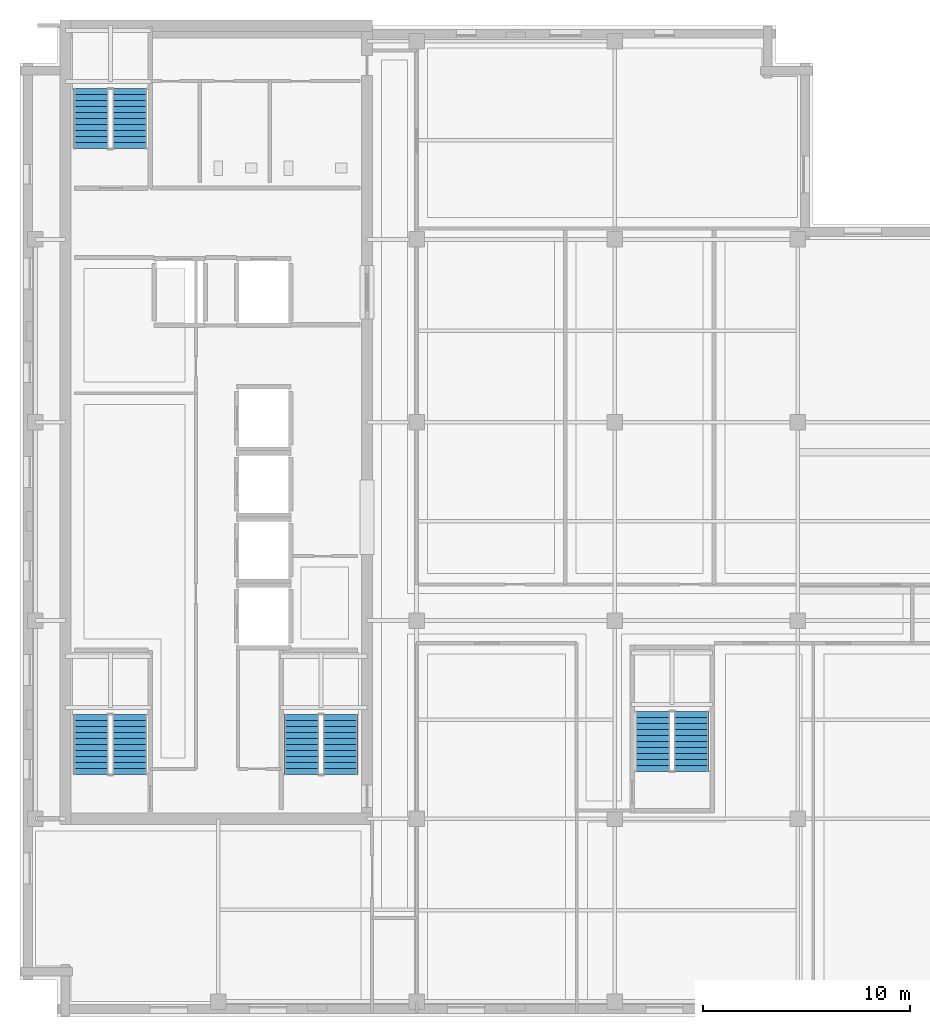
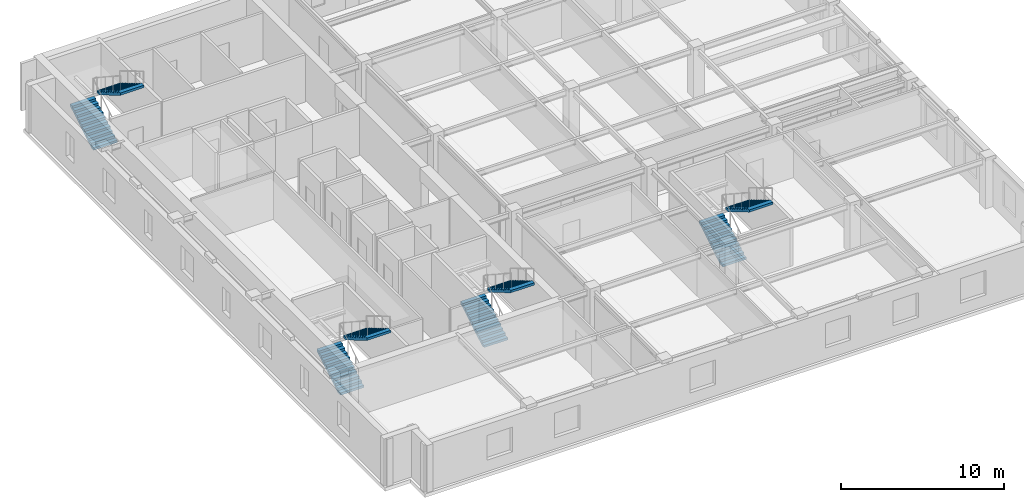
# One storey, part 6 of 10: 8 stair flights, 4 elements without a shape of their own.
"""IFC4 building model written with IfcOpenShell, lengths in metres."""

from ifc_helpers import new_model, si_unit, direction, frame, origin, place, context, subcontext, project, spatial, polyline, outline, extrude, material, type_object, element, aggregate, save


model = new_model("IFC4")

# Units and contexts
model_context = context("Model", 3, precision=1e-05, world=origin(), true_north=direction((0.0, 1.0)))
body_context = subcontext(model_context, "Body", "Model", "MODEL_VIEW")
ifc_project = project(units=[si_unit("LENGTHUNIT", "METRE"), si_unit("AREAUNIT", "SQUARE_METRE"), si_unit("VOLUMEUNIT", "CUBIC_METRE"), si_unit("PLANEANGLEUNIT", "RADIAN"), si_unit("MASSUNIT", "GRAM", prefix="KILO")], contexts=[model_context])

# Site, building, storey
site_placement = place(None, origin())
site = spatial("IfcSite", under=ifc_project, at=site_placement, CompositionType="ELEMENT")
building_placement = place(site_placement, origin())
building = spatial("IfcBuilding", under=site, at=building_placement, Name="Norrvale University Quadrangle", CompositionType="ELEMENT")
storey_placement = place(building_placement, frame((0.0, 0.0, 273.39990234375)))
storey = spatial("IfcBuildingStorey", under=building, at=storey_placement, Name="L69", CompositionType="ELEMENT", Elevation=273.39990234375)

# Stair, stair flights
ifc_material = material(Name="Concrete C40/50", Category="concrete")
stair_type = type_object("IfcStairType", Name="Stair Tower Typ 3800", PredefinedType="TWO_STRAIGHT_RUN_STAIR", material=ifc_material)
stair_1_placement = place(storey_placement, origin())
stair_1 = element("IfcStair", 1, at=stair_1_placement, inside=storey, type_object=stair_type, Name="Exit Stair ST-01 L69", PredefinedType="TWO_STRAIGHT_RUN_STAIR")
stair_flight_type = type_object("IfcStairFlightType", Name="Flight Typ 1500", PredefinedType="STRAIGHT", material=ifc_material)
stair_flight_1_placement = place(storey_placement, frame((3.429931640625, 11.75, 0.0), z_axis=(0.0, 0.0, 1.0), x_axis=(0.0, 1.0, 0.0)))
stair_flight_1 = element("IfcStairFlight", 2, at=stair_flight_1_placement, type_object=stair_flight_type, Name="Exit Stair ST-01 L69 Lower Flight", NumberOfRisers=11, NumberOfTreads=10, PredefinedType="STRAIGHT", RiserHeight=0.172727, TreadLength=0.29, context=body_context, shape_type="SweptSolid", body=[
    extrude(outline(polyline([(0.0, 0.0), (0.0, 0.172607421875), (0.2900390625, 0.172607421875), (0.2900390625, 0.345458984375), (0.580078125, 0.345458984375), (0.580078125, 0.51806640625), (0.8701171875, 0.51806640625), (0.8701171875, 0.69091796875), (1.159912109375, 0.69091796875), (1.159912109375, 0.863525390625), (1.449951171875, 0.863525390625), (1.449951171875, 1.036376953125), (1.739990234375, 1.036376953125), (1.739990234375, 1.208984375), (2.030029296875, 1.208984375), (2.030029296875, 1.3818359375), (2.320068359375, 1.3818359375), (2.320068359375, 1.554443359375), (2.610107421875, 1.554443359375), (2.610107421875, 1.727294921875), (2.89990234375, 1.727294921875), (2.89990234375, 1.89990234375), (2.89990234375, 1.552734375), (0.29296875, 0.0), (0.0, 0.0)])), frame((0.0, 0.83984375, 0.0), z_axis=(0.0, -1.0, 0.0), x_axis=(1.0, 0.0, 0.0)), (0.0, 0.0, 1.0), 1.679931640625),
])
stair_flight_2_placement = place(storey_placement, frame((5.320068359375, 14.64990234375, 1.900146484375), z_axis=(0.0, 0.0, 1.0), x_axis=(0.0, -1.0, 0.0)))
stair_flight_2 = element("IfcStairFlight", 3, at=stair_flight_2_placement, type_object=stair_flight_type, Name="Exit Stair ST-01 L69 Upper Flight", NumberOfRisers=11, NumberOfTreads=10, PredefinedType="STRAIGHT", RiserHeight=0.172727, TreadLength=0.29, context=body_context, shape_type="SweptSolid", body=[
    extrude(outline(polyline([(0.0, 0.0), (0.0, 0.172607421875), (0.2900390625, 0.172607421875), (0.2900390625, 0.345458984375), (0.580078125, 0.345458984375), (0.580078125, 0.51806640625), (0.8701171875, 0.51806640625), (0.8701171875, 0.69091796875), (1.159912109375, 0.69091796875), (1.159912109375, 0.863525390625), (1.449951171875, 0.863525390625), (1.449951171875, 1.036376953125), (1.739990234375, 1.036376953125), (1.739990234375, 1.208984375), (2.030029296875, 1.208984375), (2.030029296875, 1.3818359375), (2.320068359375, 1.3818359375), (2.320068359375, 1.554443359375), (2.610107421875, 1.554443359375), (2.610107421875, 1.727294921875), (2.89990234375, 1.727294921875), (2.89990234375, 1.89990234375), (2.89990234375, 1.552734375), (0.29296875, 0.0), (0.0, 0.0)])), frame((0.0, 0.83984375, 0.0), z_axis=(0.0, -1.0, 0.0), x_axis=(1.0, 0.0, 0.0)), (0.0, 0.0, 1.0), 1.679931640625),
])
aggregate(stair_1, [stair_flight_1, stair_flight_2])

stair_2_placement = place(storey_placement, origin())
stair_2 = element("IfcStair", 4, at=stair_2_placement, inside=storey, type_object=stair_type, Name="Exit Stair ST-02 L69", PredefinedType="TWO_STRAIGHT_RUN_STAIR")
stair_flight_3_placement = place(storey_placement, frame((3.429931640625, 42.050048828125, 0.0), z_axis=(0.0, 0.0, 1.0), x_axis=(0.0, 1.0, 0.0)))
stair_flight_3 = element("IfcStairFlight", 5, at=stair_flight_3_placement, type_object=stair_flight_type, Name="Exit Stair ST-02 L69 Lower Flight", NumberOfRisers=11, NumberOfTreads=10, PredefinedType="STRAIGHT", RiserHeight=0.172727, TreadLength=0.29, context=body_context, shape_type="SweptSolid", body=[
    extrude(outline(polyline([(0.0, 0.0), (0.0, 0.172607421875), (0.2900390625, 0.172607421875), (0.2900390625, 0.345458984375), (0.580078125, 0.345458984375), (0.580078125, 0.51806640625), (0.8701171875, 0.51806640625), (0.8701171875, 0.69091796875), (1.159912109375, 0.69091796875), (1.159912109375, 0.863525390625), (1.449951171875, 0.863525390625), (1.449951171875, 1.036376953125), (1.739990234375, 1.036376953125), (1.739990234375, 1.208984375), (2.030029296875, 1.208984375), (2.030029296875, 1.3818359375), (2.320068359375, 1.3818359375), (2.320068359375, 1.554443359375), (2.610107421875, 1.554443359375), (2.610107421875, 1.727294921875), (2.89990234375, 1.727294921875), (2.89990234375, 1.89990234375), (2.89990234375, 1.552734375), (0.29296875, 0.0), (0.0, 0.0)])), frame((0.0, 0.83984375, 0.0), z_axis=(0.0, -1.0, 0.0), x_axis=(1.0, 0.0, 0.0)), (0.0, 0.0, 1.0), 1.679931640625),
])
stair_flight_4_placement = place(storey_placement, frame((5.320068359375, 44.949951171875, 1.900146484375), z_axis=(0.0, 0.0, 1.0), x_axis=(0.0, -1.0, 0.0)))
stair_flight_4 = element("IfcStairFlight", 6, at=stair_flight_4_placement, type_object=stair_flight_type, Name="Exit Stair ST-02 L69 Upper Flight", NumberOfRisers=11, NumberOfTreads=10, PredefinedType="STRAIGHT", RiserHeight=0.172727, TreadLength=0.29, context=body_context, shape_type="SweptSolid", body=[
    extrude(outline(polyline([(0.0, 0.0), (0.0, 0.172607421875), (0.2900390625, 0.172607421875), (0.2900390625, 0.345458984375), (0.580078125, 0.345458984375), (0.580078125, 0.51806640625), (0.8701171875, 0.51806640625), (0.8701171875, 0.69091796875), (1.159912109375, 0.69091796875), (1.159912109375, 0.863525390625), (1.449951171875, 0.863525390625), (1.449951171875, 1.036376953125), (1.739990234375, 1.036376953125), (1.739990234375, 1.208984375), (2.030029296875, 1.208984375), (2.030029296875, 1.3818359375), (2.320068359375, 1.3818359375), (2.320068359375, 1.554443359375), (2.610107421875, 1.554443359375), (2.610107421875, 1.727294921875), (2.89990234375, 1.727294921875), (2.89990234375, 1.89990234375), (2.89990234375, 1.552734375), (0.29296875, 0.0), (0.0, 0.0)])), frame((0.0, 0.83984375, 0.0), z_axis=(0.0, -1.0, 0.0), x_axis=(1.0, 0.0, 0.0)), (0.0, 0.0, 1.0), 1.679931640625),
])
aggregate(stair_2, [stair_flight_3, stair_flight_4])

stair_3_placement = place(storey_placement, origin())
stair_3 = element("IfcStair", 7, at=stair_3_placement, inside=storey, type_object=stair_type, Name="Exit Stair ST-03 L69", PredefinedType="TWO_STRAIGHT_RUN_STAIR")
stair_flight_5_placement = place(storey_placement, frame((13.6298828125, 11.75, 0.0), z_axis=(0.0, 0.0, 1.0), x_axis=(0.0, 1.0, 0.0)))
stair_flight_5 = element("IfcStairFlight", 8, at=stair_flight_5_placement, type_object=stair_flight_type, Name="Exit Stair ST-03 L69 Lower Flight", NumberOfRisers=11, NumberOfTreads=10, PredefinedType="STRAIGHT", RiserHeight=0.172727, TreadLength=0.29, context=body_context, shape_type="SweptSolid", body=[
    extrude(outline(polyline([(0.0, 0.0), (0.0, 0.172607421875), (0.2900390625, 0.172607421875), (0.2900390625, 0.345458984375), (0.580078125, 0.345458984375), (0.580078125, 0.51806640625), (0.8701171875, 0.51806640625), (0.8701171875, 0.69091796875), (1.159912109375, 0.69091796875), (1.159912109375, 0.863525390625), (1.449951171875, 0.863525390625), (1.449951171875, 1.036376953125), (1.739990234375, 1.036376953125), (1.739990234375, 1.208984375), (2.030029296875, 1.208984375), (2.030029296875, 1.3818359375), (2.320068359375, 1.3818359375), (2.320068359375, 1.554443359375), (2.610107421875, 1.554443359375), (2.610107421875, 1.727294921875), (2.89990234375, 1.727294921875), (2.89990234375, 1.89990234375), (2.89990234375, 1.552734375), (0.29296875, 0.0), (0.0, 0.0)])), frame((0.0, 0.83984375, 0.0), z_axis=(0.0, -1.0, 0.0), x_axis=(1.0, 0.0, 0.0)), (0.0, 0.0, 1.0), 1.679931640625),
])
stair_flight_6_placement = place(storey_placement, frame((15.52001953125, 14.64990234375, 1.900146484375), z_axis=(0.0, 0.0, 1.0), x_axis=(0.0, -1.0, 0.0)))
stair_flight_6 = element("IfcStairFlight", 9, at=stair_flight_6_placement, type_object=stair_flight_type, Name="Exit Stair ST-03 L69 Upper Flight", NumberOfRisers=11, NumberOfTreads=10, PredefinedType="STRAIGHT", RiserHeight=0.172727, TreadLength=0.29, context=body_context, shape_type="SweptSolid", body=[
    extrude(outline(polyline([(0.0, 0.0), (0.0, 0.172607421875), (0.2900390625, 0.172607421875), (0.2900390625, 0.345458984375), (0.580078125, 0.345458984375), (0.580078125, 0.51806640625), (0.8701171875, 0.51806640625), (0.8701171875, 0.69091796875), (1.159912109375, 0.69091796875), (1.159912109375, 0.863525390625), (1.449951171875, 0.863525390625), (1.449951171875, 1.036376953125), (1.739990234375, 1.036376953125), (1.739990234375, 1.208984375), (2.030029296875, 1.208984375), (2.030029296875, 1.3818359375), (2.320068359375, 1.3818359375), (2.320068359375, 1.554443359375), (2.610107421875, 1.554443359375), (2.610107421875, 1.727294921875), (2.89990234375, 1.727294921875), (2.89990234375, 1.89990234375), (2.89990234375, 1.552734375), (0.29296875, 0.0), (0.0, 0.0)])), frame((0.0, 0.83984375, 0.0), z_axis=(0.0, -1.0, 0.0), x_axis=(1.0, 0.0, 0.0)), (0.0, 0.0, 1.0), 1.679931640625),
])
aggregate(stair_3, [stair_flight_5, stair_flight_6])

stair_4_placement = place(storey_placement, origin())
stair_4 = element("IfcStair", 10, at=stair_4_placement, inside=storey, type_object=stair_type, Name="Exit Stair ST-04 L69", PredefinedType="TWO_STRAIGHT_RUN_STAIR")
stair_flight_7_placement = place(storey_placement, frame((30.6298828125, 11.89990234375, 0.0), z_axis=(0.0, 0.0, 1.0), x_axis=(0.0, 1.0, 0.0)))
stair_flight_7 = element("IfcStairFlight", 11, at=stair_flight_7_placement, type_object=stair_flight_type, Name="Exit Stair ST-04 L69 Lower Flight", NumberOfRisers=11, NumberOfTreads=10, PredefinedType="STRAIGHT", RiserHeight=0.172727, TreadLength=0.29, context=body_context, shape_type="SweptSolid", body=[
    extrude(outline(polyline([(0.0, 0.0), (0.0, 0.172607421875), (0.2900390625, 0.172607421875), (0.2900390625, 0.345458984375), (0.580078125, 0.345458984375), (0.580078125, 0.51806640625), (0.8701171875, 0.51806640625), (0.8701171875, 0.69091796875), (1.159912109375, 0.69091796875), (1.159912109375, 0.863525390625), (1.449951171875, 0.863525390625), (1.449951171875, 1.036376953125), (1.739990234375, 1.036376953125), (1.739990234375, 1.208984375), (2.030029296875, 1.208984375), (2.030029296875, 1.3818359375), (2.320068359375, 1.3818359375), (2.320068359375, 1.554443359375), (2.610107421875, 1.554443359375), (2.610107421875, 1.727294921875), (2.89990234375, 1.727294921875), (2.89990234375, 1.89990234375), (2.89990234375, 1.552734375), (0.29296875, 0.0), (0.0, 0.0)])), frame((0.0, 0.83984375, 0.0), z_axis=(0.0, -1.0, 0.0), x_axis=(1.0, 0.0, 0.0)), (0.0, 0.0, 1.0), 1.679931640625),
])
stair_flight_8_placement = place(storey_placement, frame((32.52001953125, 14.800048828125, 1.900146484375), z_axis=(0.0, 0.0, 1.0), x_axis=(0.0, -1.0, 0.0)))
stair_flight_8 = element("IfcStairFlight", 12, at=stair_flight_8_placement, type_object=stair_flight_type, Name="Exit Stair ST-04 L69 Upper Flight", NumberOfRisers=11, NumberOfTreads=10, PredefinedType="STRAIGHT", RiserHeight=0.172727, TreadLength=0.29, context=body_context, shape_type="SweptSolid", body=[
    extrude(outline(polyline([(0.0, 0.0), (0.0, 0.172607421875), (0.2900390625, 0.172607421875), (0.2900390625, 0.345458984375), (0.580078125, 0.345458984375), (0.580078125, 0.51806640625), (0.8701171875, 0.51806640625), (0.8701171875, 0.69091796875), (1.159912109375, 0.69091796875), (1.159912109375, 0.863525390625), (1.449951171875, 0.863525390625), (1.449951171875, 1.036376953125), (1.739990234375, 1.036376953125), (1.739990234375, 1.208984375), (2.030029296875, 1.208984375), (2.030029296875, 1.3818359375), (2.320068359375, 1.3818359375), (2.320068359375, 1.554443359375), (2.610107421875, 1.554443359375), (2.610107421875, 1.727294921875), (2.89990234375, 1.727294921875), (2.89990234375, 1.89990234375), (2.89990234375, 1.552734375), (0.29296875, 0.0), (0.0, 0.0)])), frame((0.0, 0.83984375, 0.0), z_axis=(0.0, -1.0, 0.0), x_axis=(1.0, 0.0, 0.0)), (0.0, 0.0, 1.0), 1.679931640625),
])
aggregate(stair_4, [stair_flight_7, stair_flight_8])

save(model, "model.ifc")
